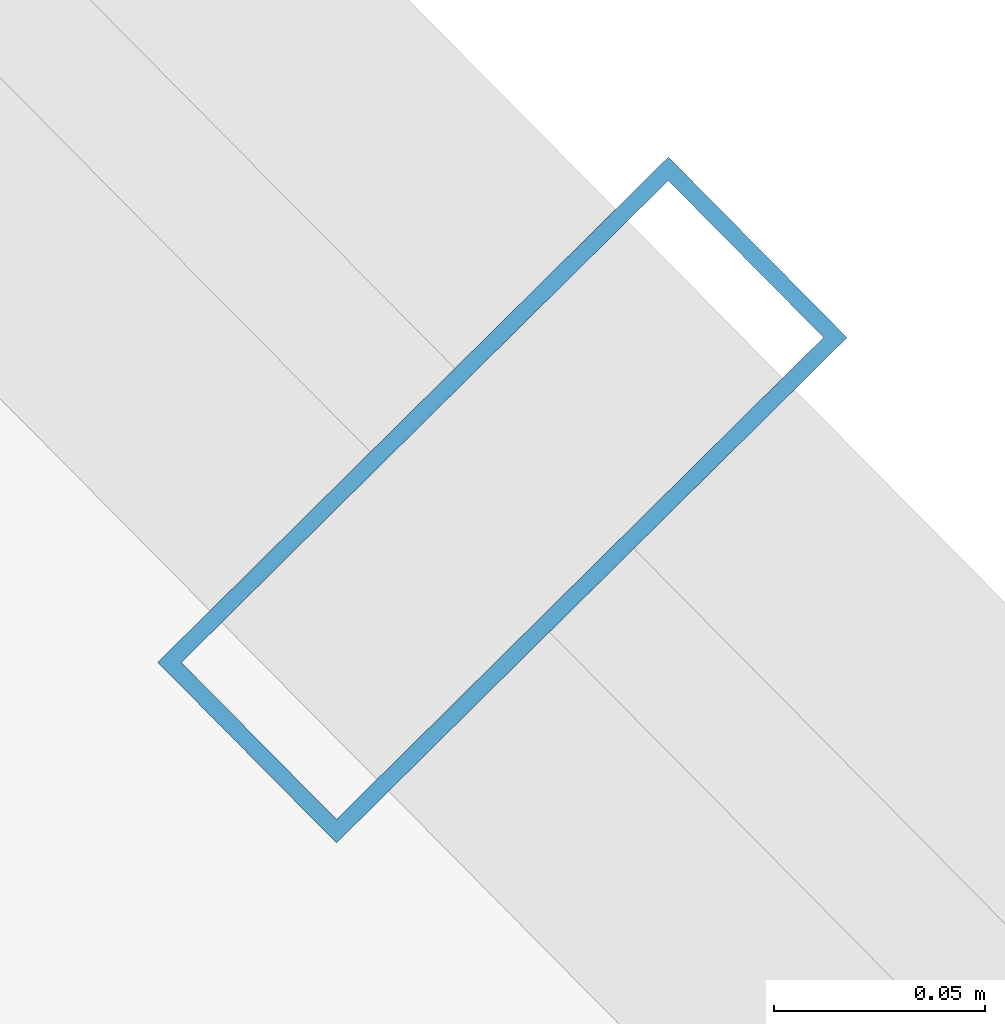
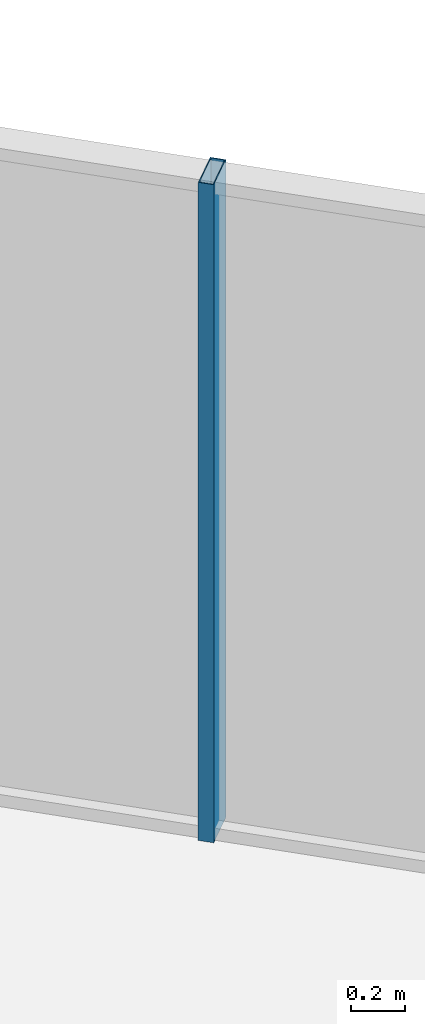
# One storey, part 30 of 39: 1 member, 1 element without a shape of its own.
"""IFC4 building model written with IfcOpenShell, lengths in metres."""

from ifc_helpers import new_model, si_unit, direction, frame, origin, origin_2d, place, context, subcontext, project, spatial, hollow_rectangle, extrude, source, transform, mapped, material, layer, layer_set, material_profile, profile_set, type_object, element, aggregate, save


model = new_model("IFC4")

# Units and contexts
model_context = context("Model", 3, precision=1e-05, world=origin(), true_north=direction((0.0, 1.0)))
body_context = subcontext(model_context, "Body", "Model", "MODEL_VIEW")
ifc_project = project(units=[si_unit("LENGTHUNIT", "METRE"), si_unit("AREAUNIT", "SQUARE_METRE"), si_unit("VOLUMEUNIT", "CUBIC_METRE"), si_unit("PLANEANGLEUNIT", "RADIAN"), si_unit("MASSUNIT", "GRAM", prefix="KILO")], contexts=[model_context])

# Site, building, storey
site_placement = place(None, origin())
site = spatial("IfcSite", under=ifc_project, at=site_placement, CompositionType="ELEMENT")
building_placement = place(site_placement, origin())
building = spatial("IfcBuilding", under=site, at=building_placement, Name="Veraguas Prism Commons", CompositionType="ELEMENT")
storey_placement = place(building_placement, frame((0.0, 0.0, 73.85009765625)))
storey = spatial("IfcBuildingStorey", under=building, at=storey_placement, Name="L20", CompositionType="ELEMENT", Elevation=73.85009765625)

# Curtain wall, member
ifc_material = material(Name="Anodised aluminium EN AW-6063 T6", Category="aluminium")
ifc_layer = layer(ifc_material, 0.169921875, Name="Unitised Flush Curtain Wall Zone 1", Category="aluminium")
ifc_layer_set = layer_set([ifc_layer], Name="Anodised aluminium EN AW-6063 T6")
curtain_wall_type = type_object("IfcCurtainWallType", Name="Unitised Flush Curtain Wall Zone 1", PredefinedType="NOTDEFINED", material=ifc_layer_set)
curtain_wall_placement = place(storey_placement, origin())
curtain_wall = element("IfcCurtainWall", 1, at=curtain_wall_placement, inside=storey, type_object=curtain_wall_type, Name="Tower Facade Curtain Wall L20-F1", PredefinedType="NOTDEFINED")
ifc_material_profile = material_profile(ifc_material, hollow_rectangle(XDim=0.06005859375, YDim=0.169921875, WallThickness=0.00390625, at=origin_2d()), Name="AL60X170X4")
ifc_profile_set = profile_set([ifc_material_profile], Name="Anodised aluminium EN AW-6063 T6")
member_type = type_object("IfcMemberType", Name="Curtain Wall Mullion Lower AL 60x170x4", PredefinedType="MULLION", material=ifc_profile_set)
shared_shape = source(origin(), body_context, "Body", "SweptSolid", [
    extrude(hollow_rectangle(XDim=0.06005859375, YDim=0.169921875, WallThickness=0.00390625, at=origin_2d()), origin(), (0.0, 0.0, 1.0), 3.0),
])
member_placement = place(storey_placement, frame((38.773681640625, 38.619873046875, 0.0), z_axis=(0.0, 0.0, 1.0), x_axis=(-0.70339346223, 0.710800701527, 0.0)))
member = element("IfcMember", 2, at=member_placement, type_object=member_type, Name="CW-Z1 Mullion 3", PredefinedType="MULLION", context=body_context, shape_type="MappedRepresentation", body=[
    mapped(shared_shape, transform((0.0, 0.0, 0.0), scale=1.0)),
])
aggregate(curtain_wall, [member])

save(model, "model.ifc")
